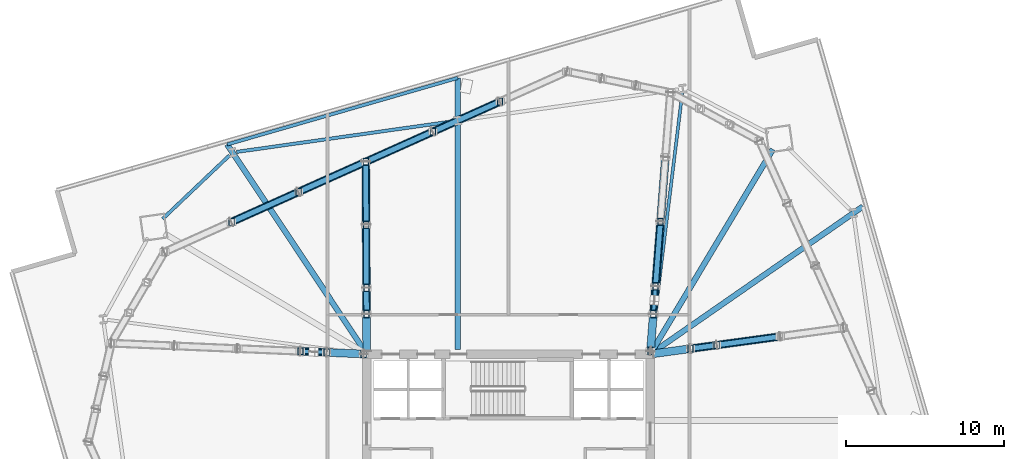
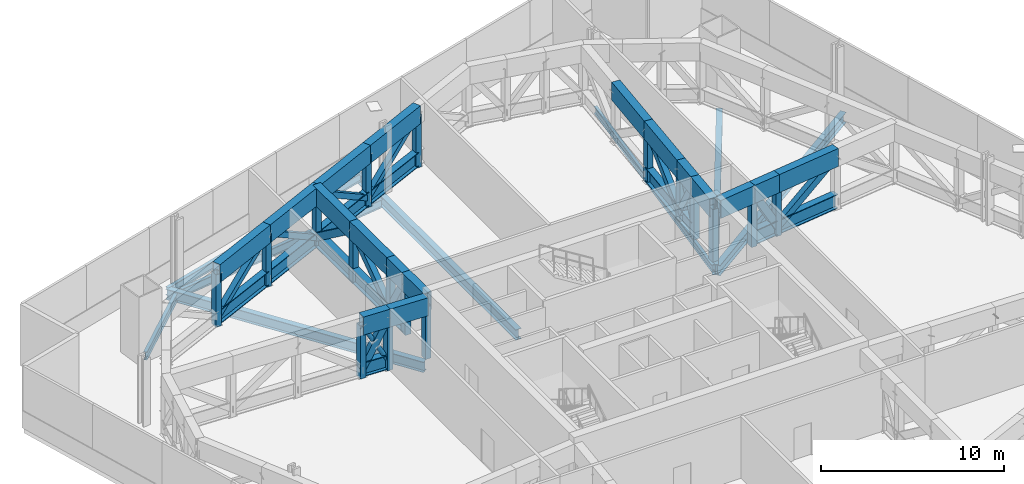
# One storey, part 5 of 19: 62 members, 8 beams.
"""IFC4 building model written with IfcOpenShell, lengths in metres."""

from ifc_helpers import new_model, si_unit, direction, frame, origin, origin_2d, place, context, subcontext, project, spatial, hollow_rectangle, hollow_circle, i_section, extrude, material, material_profile, profile_set, type_object, element, save


model = new_model("IFC4")

# Units and contexts
model_context = context("Model", 3, precision=1e-05, world=origin(), true_north=direction((0.0, 1.0)))
body_context = subcontext(model_context, "Body", "Model", "MODEL_VIEW")
ifc_project = project(units=[si_unit("LENGTHUNIT", "METRE"), si_unit("AREAUNIT", "SQUARE_METRE"), si_unit("VOLUMEUNIT", "CUBIC_METRE"), si_unit("PLANEANGLEUNIT", "RADIAN"), si_unit("MASSUNIT", "GRAM", prefix="KILO")], contexts=[model_context])

# Site, building, storey
site_placement = place(None, origin())
site = spatial("IfcSite", under=ifc_project, at=site_placement, CompositionType="ELEMENT")
building_placement = place(site_placement, origin())
building = spatial("IfcBuilding", under=site, at=building_placement, Name="Haldenkirk Collegiate Tower", CompositionType="ELEMENT")
storey_placement = place(building_placement, frame((0.0, 0.0, 81.449951171875)))
storey = spatial("IfcBuildingStorey", under=building, at=storey_placement, Name="L19", CompositionType="ELEMENT", Elevation=81.449951171875)

# Beams
ifc_material_1 = material(Name="Steel ASTM A992 Grade 50", Category="steel")
ifc_material_profile_1 = material_profile(ifc_material_1, i_section(OverallWidth=0.35498046875, OverallDepth=0.696044921875, WebThickness=0.015380859375, FlangeThickness=0.02490234375, at=origin_2d()), Name="W27X146")
ifc_profile_set_1 = profile_set([ifc_material_profile_1], Name="Steel ASTM A992 Grade 50")
beam_type_1 = type_object("IfcBeamType", Name="BM-GIRDER-W27X146", PredefinedType="BEAM", material=ifc_profile_set_1)
beam_1_placement = place(storey_placement, frame((52.783935546875, 47.000732421875, -0.758056640625), z_axis=(-0.513696499257, -0.857971973115, 0.0), x_axis=(0.857971973115, -0.513696499257, 0.0)))
element("IfcBeam", 1, at=beam_1_placement, inside=storey, type_object=beam_type_1, Name="L19 primary floor girder 03", PredefinedType="BEAM", context=body_context, shape_type="SweptSolid", body=[
    extrude(i_section(OverallWidth=0.35498046875, OverallDepth=0.696044921875, WebThickness=0.015380859375, FlangeThickness=0.02490234375, at=origin_2d()), origin(), (0.0, 0.0, 1.0), 14.872802734375),
])
beam_2_placement = place(storey_placement, frame((58.49609375, 43.36767578125, -0.758056640625), z_axis=(-0.821502553944, -0.570204835006, 0.0), x_axis=(0.570204835006, -0.821502553944, 0.0)))
element("IfcBeam", 2, at=beam_2_placement, inside=storey, type_object=beam_type_1, Name="L19 primary floor girder 10", PredefinedType="BEAM", context=body_context, shape_type="SweptSolid", body=[
    extrude(i_section(OverallWidth=0.35498046875, OverallDepth=0.696044921875, WebThickness=0.015380859375, FlangeThickness=0.02490234375, at=origin_2d()), origin(), (0.0, 0.0, 1.0), 16.148681640625),
])
beam_3_placement = place(storey_placement, frame((32.772216796875, 51.536376953125, -0.758056640625), z_axis=(0.0, -1.0, 0.0), x_axis=(1.0, 0.0, 0.0)))
element("IfcBeam", 3, at=beam_3_placement, inside=storey, type_object=beam_type_1, Name="L19 primary floor girder 12", PredefinedType="BEAM", context=body_context, shape_type="SweptSolid", body=[
    extrude(i_section(OverallWidth=0.35498046875, OverallDepth=0.696044921875, WebThickness=0.015380859375, FlangeThickness=0.02490234375, at=origin_2d()), origin(), (0.0, 0.0, 1.0), 17.25634765625),
])
beam_4_placement = place(storey_placement, frame((18.13818359375, 47.3125, -0.758056640625), z_axis=(0.554126343043, -0.832432577417, 0.0), x_axis=(0.832432577417, 0.554126343043, 0.0)))
element("IfcBeam", 4, at=beam_4_placement, inside=storey, type_object=beam_type_1, Name="L19 primary floor girder 13", PredefinedType="BEAM", context=body_context, shape_type="SweptSolid", body=[
    extrude(i_section(OverallWidth=0.35498046875, OverallDepth=0.696044921875, WebThickness=0.015380859375, FlangeThickness=0.02490234375, at=origin_2d()), origin(), (0.0, 0.0, 1.0), 15.712158203125),
])
ifc_material_profile_2 = material_profile(ifc_material_1, i_section(OverallWidth=0.19189453125, OverallDepth=0.462890625, WebThickness=0.010498046875, FlangeThickness=0.017578125, at=origin_2d()), Name="W18X60")
ifc_profile_set_2 = profile_set([ifc_material_profile_2], Name="Steel ASTM A992 Grade 50")
beam_type_2 = type_object("IfcBeamType", Name="BM-JOIST-W18X60", PredefinedType="JOIST", material=ifc_profile_set_2)
beam_5_placement = place(storey_placement, frame((47.03369140625, 50.581787109375, -0.641357421875), z_axis=(-0.121727667568, -0.992563536983, 0.0), x_axis=(0.992563536983, -0.121727667568, 0.0)))
element("IfcBeam", 5, at=beam_5_placement, inside=storey, type_object=beam_type_2, Name="L19 composite floor joist 11", PredefinedType="JOIST", context=body_context, shape_type="SweptSolid", body=[
    extrude(i_section(OverallWidth=0.19189453125, OverallDepth=0.462890625, WebThickness=0.010498046875, FlangeThickness=0.017578125, at=origin_2d()), origin(), (0.0, 0.0, 1.0), 16.426025390625),
])
ifc_material_profile_3 = material_profile(ifc_material_1, i_section(OverallWidth=0.2119140625, OverallDepth=0.5439453125, WebThickness=0.01318359375, FlangeThickness=0.021240234375, at=origin_2d()), Name="W21X83")
ifc_profile_set_3 = profile_set([ifc_material_profile_3], Name="Steel ASTM A992 Grade 50")
beam_type_3 = type_object("IfcBeamType", Name="BM-SPANDREL-W21X83", PredefinedType="SPANDREL", material=ifc_profile_set_3)
beam_6_placement = place(storey_placement, frame((32.51025390625, 48.785888671875, -0.681884765625), z_axis=(-0.990146197746, -0.14003752029, 0.0), x_axis=(0.14003752029, -0.990146197746, 0.0)))
element("IfcBeam", 6, at=beam_6_placement, inside=storey, type_object=beam_type_3, Name="L19 perimeter spandrel beam 11", PredefinedType="SPANDREL", context=body_context, shape_type="SweptSolid", body=[
    extrude(i_section(OverallWidth=0.2119140625, OverallDepth=0.5439453125, WebThickness=0.01318359375, FlangeThickness=0.021240234375, at=origin_2d()), origin(), (0.0, 0.0, 1.0), 13.906982421875),
])
beam_7_placement = place(storey_placement, frame((18.28662109375, 46.619140625, -0.681884765625), z_axis=(-0.725132817178, -0.688609030911, 0.0), x_axis=(0.688609030911, -0.725132817178, 0.0)))
element("IfcBeam", 7, at=beam_7_placement, inside=storey, type_object=beam_type_3, Name="L19 perimeter spandrel beam 12", PredefinedType="SPANDREL", context=body_context, shape_type="SweptSolid", body=[
    extrude(i_section(OverallWidth=0.2119140625, OverallDepth=0.5439453125, WebThickness=0.01318359375, FlangeThickness=0.021240234375, at=origin_2d()), origin(), (0.0, 0.0, 1.0), 5.848876953125),
])
beam_8_placement = place(storey_placement, frame((32.772216796875, 51.536376953125, -0.681884765625), z_axis=(-0.960779498589, -0.277313459987, 0.0), x_axis=(0.277313459987, -0.960779498589, 0.0)))
element("IfcBeam", 8, at=beam_8_placement, inside=storey, type_object=beam_type_3, Name="L19 outer facade edge beam 3", PredefinedType="SPANDREL", context=body_context, shape_type="SweptSolid", body=[
    extrude(i_section(OverallWidth=0.2119140625, OverallDepth=0.5439453125, WebThickness=0.01318359375, FlangeThickness=0.021240234375, at=origin_2d()), origin(), (0.0, 0.0, 1.0), 15.2314453125),
])

# Members
ifc_material_2 = material(Name="Steel ASTM A572 Grade 50", Category="steel")
ifc_material_profile_4 = material_profile(ifc_material_2, hollow_rectangle(XDim=0.5, YDim=1.199951171875, WallThickness=0.050048828125, at=origin_2d()), Name="BOX1200X500X50")
ifc_profile_set_4 = profile_set([ifc_material_profile_4], Name="Steel ASTM A572 Grade 50")
member_type_1 = type_object("IfcMemberType", Name="MBR-CHORD-BOX1200", PredefinedType="CHORD", material=ifc_profile_set_4)
member_1_placement = place(storey_placement, frame((45.015380859375, 34.199462890625, 3.489990234375), z_axis=(0.076941984802, 0.997035571569, 0.0), x_axis=(-0.997035571569, 0.076941984802, 0.0)))
element("IfcMember", 9, at=member_1_placement, inside=storey, type_object=member_type_1, Name="Outrigger Truss L19 Radial 03 top chord 1", PredefinedType="CHORD", context=body_context, shape_type="SweptSolid", body=[
    extrude(hollow_rectangle(XDim=0.5, YDim=1.199951171875, WallThickness=0.050048828125, at=origin_2d()), origin(), (0.0, 0.0, 1.0), 2.357666015625),
])
member_2_placement = place(storey_placement, frame((45.19677734375, 36.550048828125, 3.489990234375), z_axis=(0.076834622297, 0.997043851, 0.0), x_axis=(-0.997043851, 0.076834622297, 0.0)))
element("IfcMember", 10, at=member_2_placement, inside=storey, type_object=member_type_1, Name="Outrigger Truss L19 Radial 03 top chord 2", PredefinedType="CHORD", context=body_context, shape_type="SweptSolid", body=[
    extrude(hollow_rectangle(XDim=0.5, YDim=1.199951171875, WallThickness=0.050048828125, at=origin_2d()), origin(), (0.0, 0.0, 1.0), 1.757080078125),
])
for number, where, z_axis, x_axis, name in (
    (11, (45.331787109375, 38.302001953125, 3.489990234375), (0.076891588184, 0.997039459433, 0.0), (-0.997039459433, 0.076891588184, 0.0), "Outrigger Truss L19 Radial 03 top chord 3"),
    (12, (45.648193359375, 42.40478515625, 3.489990234375), (0.076891588184, 0.997039459433, 0.0), (-0.997039459433, 0.076891588184, 0.0), "Outrigger Truss L19 Radial 03 top chord 4"),
):
    element("IfcMember", number, at=place(storey_placement, frame(where, z_axis=z_axis, x_axis=x_axis)), inside=storey, type_object=member_type_1, Name=name, PredefinedType="CHORD", context=body_context, shape_type="SweptSolid", body=[
        extrude(hollow_rectangle(XDim=0.5, YDim=1.199951171875, WallThickness=0.050048828125, at=origin_2d()), origin(), (0.0, 0.0, 1.0), 4.114990234375),
    ])
member_3_placement = place(storey_placement, frame((26.80029296875, 34.008544921875, 3.489990234375), z_axis=(-0.999081055666, 0.042860753712, 0.0), x_axis=(-0.042860753712, -0.999081055666, 0.0)))
element("IfcMember", 13, at=member_3_placement, inside=storey, type_object=member_type_1, Name="Outrigger Truss L19 Radial 04 top chord 1", PredefinedType="CHORD", context=body_context, shape_type="SweptSolid", body=[
    extrude(hollow_rectangle(XDim=0.5, YDim=1.199951171875, WallThickness=0.050048828125, at=origin_2d()), origin(), (0.0, 0.0, 1.0), 2.3525390625),
])
member_4_placement = place(storey_placement, frame((24.449951171875, 34.109375, 3.489990234375), z_axis=(-0.999078020755, 0.042931438872, 0.0), x_axis=(-0.042931438872, -0.999078020755, 0.0)))
element("IfcMember", 14, at=member_4_placement, inside=storey, type_object=member_type_1, Name="Outrigger Truss L19 Radial 04 top chord 2", PredefinedType="CHORD", context=body_context, shape_type="SweptSolid", body=[
    extrude(hollow_rectangle(XDim=0.5, YDim=1.199951171875, WallThickness=0.050048828125, at=origin_2d()), origin(), (0.0, 0.0, 1.0), 1.65478515625),
])
member_5_placement = place(storey_placement, frame((45.1982421875, 34.027099609375, 3.489990234375), z_axis=(0.990879551053, 0.134750566997, 0.0), x_axis=(-0.134750566997, 0.990879551053, 0.0)))
element("IfcMember", 15, at=member_5_placement, inside=storey, type_object=member_type_1, Name="Outrigger Truss L19 Radial 06 top chord 1", PredefinedType="CHORD", context=body_context, shape_type="SweptSolid", body=[
    extrude(hollow_rectangle(XDim=0.5, YDim=1.199951171875, WallThickness=0.050048828125, at=origin_2d()), origin(), (0.0, 0.0, 1.0), 2.37353515625),
])
member_6_placement = place(storey_placement, frame((47.550048828125, 34.346923828125, 3.489990234375), z_axis=(0.990873381725, 0.13479592497, 0.0), x_axis=(-0.13479592497, 0.990873381725, 0.0)))
element("IfcMember", 16, at=member_6_placement, inside=storey, type_object=member_type_1, Name="Outrigger Truss L19 Radial 06 top chord 2", PredefinedType="CHORD", context=body_context, shape_type="SweptSolid", body=[
    extrude(hollow_rectangle(XDim=0.5, YDim=1.199951171875, WallThickness=0.050048828125, at=origin_2d()), origin(), (0.0, 0.0, 1.0), 1.6826171875),
])
member_7_placement = place(storey_placement, frame((49.21728515625, 34.57373046875, 3.489990234375), z_axis=(0.990867858049, 0.134836522813, 0.0), x_axis=(-0.134836522813, 0.990867858049, 0.0)))
element("IfcMember", 17, at=member_7_placement, inside=storey, type_object=member_type_1, Name="Outrigger Truss L19 Radial 06 top chord 3", PredefinedType="CHORD", context=body_context, shape_type="SweptSolid", body=[
    extrude(hollow_rectangle(XDim=0.5, YDim=1.199951171875, WallThickness=0.050048828125, at=origin_2d()), origin(), (0.0, 0.0, 1.0), 4.055908203125),
])
member_8_placement = place(storey_placement, frame((26.9990234375, 34.199951171875, 3.489990234375), z_axis=(-0.005090314271, 0.999987044266, 0.0), x_axis=(-0.999987044266, -0.005090314271, 0.0)))
element("IfcMember", 18, at=member_8_placement, inside=storey, type_object=member_type_1, Name="Outrigger Truss L19 Radial 07 top chord 1", PredefinedType="CHORD", context=body_context, shape_type="SweptSolid", body=[
    extrude(hollow_rectangle(XDim=0.5, YDim=1.199951171875, WallThickness=0.050048828125, at=origin_2d()), origin(), (0.0, 0.0, 1.0), 2.35009765625),
])
member_9_placement = place(storey_placement, frame((26.987060546875, 36.550048828125, 3.489990234375), z_axis=(-0.005166745325, 0.999986652282, 0.0), x_axis=(-0.999986652282, -0.005166745325, 0.0)))
element("IfcMember", 19, at=member_9_placement, inside=storey, type_object=member_type_1, Name="Outrigger Truss L19 Radial 07 top chord 2", PredefinedType="CHORD", context=body_context, shape_type="SweptSolid", body=[
    extrude(hollow_rectangle(XDim=0.5, YDim=1.199951171875, WallThickness=0.050048828125, at=origin_2d()), origin(), (0.0, 0.0, 1.0), 1.65380859375),
])
member_10_placement = place(storey_placement, frame((26.978515625, 38.203857421875, 3.489990234375), z_axis=(-0.005061219399, 0.999987191947, 0.0), x_axis=(-0.999987191947, -0.005061219399, 0.0)))
element("IfcMember", 20, at=member_10_placement, inside=storey, type_object=member_type_1, Name="Outrigger Truss L19 Radial 07 top chord 3", PredefinedType="CHORD", context=body_context, shape_type="SweptSolid", body=[
    extrude(hollow_rectangle(XDim=0.5, YDim=1.199951171875, WallThickness=0.050048828125, at=origin_2d()), origin(), (0.0, 0.0, 1.0), 4.003662109375),
])
member_11_placement = place(storey_placement, frame((26.958251953125, 42.20751953125, 3.489990234375), z_axis=(-0.005121884035, 0.999986883066, 0.0), x_axis=(-0.999986883066, -0.005121884035, 0.0)))
element("IfcMember", 21, at=member_11_placement, inside=storey, type_object=member_type_1, Name="Outrigger Truss L19 Radial 07 top chord 4", PredefinedType="CHORD", context=body_context, shape_type="SweptSolid", body=[
    extrude(hollow_rectangle(XDim=0.5, YDim=1.199951171875, WallThickness=0.050048828125, at=origin_2d()), origin(), (0.0, 0.0, 1.0), 4.00390625),
])
member_12_placement = place(storey_placement, frame((35.456787109375, 50.031005859375, 3.489990234375), z_axis=(-0.912471623482, -0.409139996016, 0.0), x_axis=(0.409139996016, -0.912471623482, 0.0)))
element("IfcMember", 22, at=member_12_placement, inside=storey, type_object=member_type_1, Name="Belt Truss L19-10 top chord 2", PredefinedType="CHORD", context=body_context, shape_type="SweptSolid", body=[
    extrude(hollow_rectangle(XDim=0.5, YDim=1.199951171875, WallThickness=0.050048828125, at=origin_2d()), origin(), (0.0, 0.0, 1.0), 4.668212890625),
])
for number, where, z_axis, x_axis, name in (
    (23, (31.197265625, 48.12109375, 3.489990234375), (-0.91249114781, -0.409096449714, 0.0), (0.409096449714, -0.91249114781, 0.0), "Belt Truss L19-10 top chord 3"),
    (24, (26.937744140625, 46.21142578125, 3.489990234375), (-0.912462868131, -0.409159521804, 0.0), (0.409159521804, -0.912462868131, 0.0), "Belt Truss L19-11 top chord 1"),
    (25, (22.678466796875, 44.301513671875, 3.489990234375), (-0.91249114781, -0.409096449714, 0.0), (0.409096449714, -0.91249114781, 0.0), "Belt Truss L19-11 top chord 2"),
):
    element("IfcMember", number, at=place(storey_placement, frame(where, z_axis=z_axis, x_axis=x_axis)), inside=storey, type_object=member_type_1, Name=name, PredefinedType="CHORD", context=body_context, shape_type="SweptSolid", body=[
        extrude(hollow_rectangle(XDim=0.5, YDim=1.199951171875, WallThickness=0.050048828125, at=origin_2d()), origin(), (0.0, 0.0, 1.0), 4.66796875),
    ])
ifc_material_3 = material(Name="Steel ASTM A913 Grade 65", Category="steel")
ifc_material_profile_5 = material_profile(ifc_material_3, i_section(OverallWidth=0.423095703125, OverallDepth=0.947998046875, WebThickness=0.02392578125, FlangeThickness=0.042724609375, at=origin_2d()), Name="W36X302")
ifc_profile_set_5 = profile_set([ifc_material_profile_5], Name="Steel ASTM A913 Grade 65")
member_type_2 = type_object("IfcMemberType", Name="MBR-CHORD-W36X302", PredefinedType="CHORD", material=ifc_profile_set_5)
member_13_placement = place(storey_placement, frame((45.19677734375, 36.550048828125, 0.550048828125), z_axis=(0.076834622297, 0.997043851, 0.0), x_axis=(-0.997043851, 0.076834622297, 0.0)))
element("IfcMember", 26, at=member_13_placement, inside=storey, type_object=member_type_2, Name="Outrigger Truss L19 Radial 03 bottom chord 2", PredefinedType="CHORD", context=body_context, shape_type="SweptSolid", body=[
    extrude(i_section(OverallWidth=0.423095703125, OverallDepth=0.947998046875, WebThickness=0.02392578125, FlangeThickness=0.042724609375, at=origin_2d()), origin(), (0.0, 0.0, 1.0), 1.757080078125),
])
member_14_placement = place(storey_placement, frame((45.331787109375, 38.302001953125, 0.550048828125), z_axis=(0.076891588184, 0.997039459433, 0.0), x_axis=(-0.997039459433, 0.076891588184, 0.0)))
element("IfcMember", 27, at=member_14_placement, inside=storey, type_object=member_type_2, Name="Outrigger Truss L19 Radial 03 bottom chord 3", PredefinedType="CHORD", context=body_context, shape_type="SweptSolid", body=[
    extrude(i_section(OverallWidth=0.423095703125, OverallDepth=0.947998046875, WebThickness=0.02392578125, FlangeThickness=0.042724609375, at=origin_2d()), origin(), (0.0, 0.0, 1.0), 4.114990234375),
])
member_15_placement = place(storey_placement, frame((24.449951171875, 34.109375, 0.550048828125), z_axis=(-0.999078020755, 0.042931438872, 0.0), x_axis=(-0.042931438872, -0.999078020755, 0.0)))
element("IfcMember", 28, at=member_15_placement, inside=storey, type_object=member_type_2, Name="Outrigger Truss L19 Radial 04 bottom chord 2", PredefinedType="CHORD", context=body_context, shape_type="SweptSolid", body=[
    extrude(i_section(OverallWidth=0.423095703125, OverallDepth=0.947998046875, WebThickness=0.02392578125, FlangeThickness=0.042724609375, at=origin_2d()), origin(), (0.0, 0.0, 1.0), 1.65478515625),
])
member_16_placement = place(storey_placement, frame((47.550048828125, 34.346923828125, 0.550048828125), z_axis=(0.990873381725, 0.13479592497, 0.0), x_axis=(-0.13479592497, 0.990873381725, 0.0)))
element("IfcMember", 29, at=member_16_placement, inside=storey, type_object=member_type_2, Name="Outrigger Truss L19 Radial 06 bottom chord 2", PredefinedType="CHORD", context=body_context, shape_type="SweptSolid", body=[
    extrude(i_section(OverallWidth=0.423095703125, OverallDepth=0.947998046875, WebThickness=0.02392578125, FlangeThickness=0.042724609375, at=origin_2d()), origin(), (0.0, 0.0, 1.0), 1.6826171875),
])
member_17_placement = place(storey_placement, frame((49.21728515625, 34.57373046875, 0.550048828125), z_axis=(0.990867858049, 0.134836522813, 0.0), x_axis=(-0.134836522813, 0.990867858049, 0.0)))
element("IfcMember", 30, at=member_17_placement, inside=storey, type_object=member_type_2, Name="Outrigger Truss L19 Radial 06 bottom chord 3", PredefinedType="CHORD", context=body_context, shape_type="SweptSolid", body=[
    extrude(i_section(OverallWidth=0.423095703125, OverallDepth=0.947998046875, WebThickness=0.02392578125, FlangeThickness=0.042724609375, at=origin_2d()), origin(), (0.0, 0.0, 1.0), 4.055908203125),
])
member_18_placement = place(storey_placement, frame((26.987060546875, 36.550048828125, 0.550048828125), z_axis=(-0.005166745325, 0.999986652282, 0.0), x_axis=(-0.999986652282, -0.005166745325, 0.0)))
element("IfcMember", 31, at=member_18_placement, inside=storey, type_object=member_type_2, Name="Outrigger Truss L19 Radial 07 bottom chord 2", PredefinedType="CHORD", context=body_context, shape_type="SweptSolid", body=[
    extrude(i_section(OverallWidth=0.423095703125, OverallDepth=0.947998046875, WebThickness=0.02392578125, FlangeThickness=0.042724609375, at=origin_2d()), origin(), (0.0, 0.0, 1.0), 1.65380859375),
])
member_19_placement = place(storey_placement, frame((26.978515625, 38.203857421875, 0.550048828125), z_axis=(-0.005061219399, 0.999987191947, 0.0), x_axis=(-0.999987191947, -0.005061219399, 0.0)))
element("IfcMember", 32, at=member_19_placement, inside=storey, type_object=member_type_2, Name="Outrigger Truss L19 Radial 07 bottom chord 3", PredefinedType="CHORD", context=body_context, shape_type="SweptSolid", body=[
    extrude(i_section(OverallWidth=0.423095703125, OverallDepth=0.947998046875, WebThickness=0.02392578125, FlangeThickness=0.042724609375, at=origin_2d()), origin(), (0.0, 0.0, 1.0), 4.003662109375),
])
member_20_placement = place(storey_placement, frame((26.958251953125, 42.20751953125, 0.550048828125), z_axis=(-0.005121884035, 0.999986883066, 0.0), x_axis=(-0.999986883066, -0.005121884035, 0.0)))
element("IfcMember", 33, at=member_20_placement, inside=storey, type_object=member_type_2, Name="Outrigger Truss L19 Radial 07 bottom chord 4", PredefinedType="CHORD", context=body_context, shape_type="SweptSolid", body=[
    extrude(i_section(OverallWidth=0.423095703125, OverallDepth=0.947998046875, WebThickness=0.02392578125, FlangeThickness=0.042724609375, at=origin_2d()), origin(), (0.0, 0.0, 1.0), 4.00390625),
])
member_21_placement = place(storey_placement, frame((35.456787109375, 50.031005859375, 0.550048828125), z_axis=(-0.912471623482, -0.409139996016, 0.0), x_axis=(0.409139996016, -0.912471623482, 0.0)))
element("IfcMember", 34, at=member_21_placement, inside=storey, type_object=member_type_2, Name="Belt Truss L19-10 bottom chord 2", PredefinedType="CHORD", context=body_context, shape_type="SweptSolid", body=[
    extrude(i_section(OverallWidth=0.423095703125, OverallDepth=0.947998046875, WebThickness=0.02392578125, FlangeThickness=0.042724609375, at=origin_2d()), origin(), (0.0, 0.0, 1.0), 4.668212890625),
])
for number, where, z_axis, x_axis, name in (
    (35, (31.197265625, 48.12109375, 0.550048828125), (-0.91249114781, -0.409096449714, 0.0), (0.409096449714, -0.91249114781, 0.0), "Belt Truss L19-10 bottom chord 3"),
    (36, (26.937744140625, 46.21142578125, 0.550048828125), (-0.912462868131, -0.409159521804, 0.0), (0.409159521804, -0.912462868131, 0.0), "Belt Truss L19-11 bottom chord 1"),
    (37, (22.678466796875, 44.301513671875, 0.550048828125), (-0.91249114781, -0.409096449714, 0.0), (0.409096449714, -0.91249114781, 0.0), "Belt Truss L19-11 bottom chord 2"),
):
    element("IfcMember", number, at=place(storey_placement, frame(where, z_axis=z_axis, x_axis=x_axis)), inside=storey, type_object=member_type_2, Name=name, PredefinedType="CHORD", context=body_context, shape_type="SweptSolid", body=[
        extrude(i_section(OverallWidth=0.423095703125, OverallDepth=0.947998046875, WebThickness=0.02392578125, FlangeThickness=0.042724609375, at=origin_2d()), origin(), (0.0, 0.0, 1.0), 4.66796875),
    ])
ifc_material_profile_6 = material_profile(ifc_material_2, hollow_circle(Radius=0.136474609375, WallThickness=0.011962890625, at=origin_2d()), Name="CHS273X12")
ifc_profile_set_6 = profile_set([ifc_material_profile_6], Name="Steel ASTM A572 Grade 50")
member_type_3 = type_object("IfcMemberType", Name="MBR-STRUT-CHS273", PredefinedType="STRUT", material=ifc_profile_set_6)
for number, where, z_axis, x_axis, name in (
    (38, (45.19677734375, 36.550048828125, 0.550048828125), (0.039461562201, 0.511508064659, 0.858371880305), (-0.997037350697, 0.076918926893, 0.0), "Outrigger Truss L19 Radial 03 split X-brace diagonal 2A"),
    (39, (45.273681640625, 37.548828125, 2.22607421875), (0.039461562201, 0.511508064659, 0.858371880305), (-0.997037350697, 0.076918926893, 0.0), "Outrigger Truss L19 Radial 03 split X-brace diagonal 2B"),
):
    element("IfcMember", number, at=place(storey_placement, frame(where, z_axis=z_axis, x_axis=x_axis)), inside=storey, type_object=member_type_3, Name=name, PredefinedType="STRUT", context=body_context, shape_type="SweptSolid", body=[
        extrude(hollow_circle(Radius=0.136474609375, WallThickness=0.011962890625, at=origin_2d()), origin(), (0.0, 0.0, 1.0), 1.472412109375),
    ])
member_22_placement = place(storey_placement, frame((24.449951171875, 34.109375, 0.550048828125), z_axis=(-0.489983951227, 0.021090906992, 0.87147627689), x_axis=(-0.043004256588, -0.999074889043, 0.0)))
element("IfcMember", 40, at=member_22_placement, inside=storey, type_object=member_type_3, Name="Outrigger Truss L19 Radial 04 split X-brace diagonal 2A", PredefinedType="STRUT", context=body_context, shape_type="SweptSolid", body=[
    extrude(hollow_circle(Radius=0.136474609375, WallThickness=0.011962890625, at=origin_2d()), origin(), (0.0, 0.0, 1.0), 1.447021484375),
])
member_23_placement = place(storey_placement, frame((23.505615234375, 34.14990234375, 2.229248046875), z_axis=(-0.490056008267, 0.02109400862, 0.871435684122), x_axis=(-0.043004256588, -0.999074889043, 0.0)))
element("IfcMember", 41, at=member_23_placement, inside=storey, type_object=member_type_3, Name="Outrigger Truss L19 Radial 04 split X-brace diagonal 2B", PredefinedType="STRUT", context=body_context, shape_type="SweptSolid", body=[
    extrude(hollow_circle(Radius=0.136474609375, WallThickness=0.011962890625, at=origin_2d()), origin(), (0.0, 0.0, 1.0), 1.44677734375),
])
ifc_material_profile_7 = material_profile(ifc_material_2, hollow_rectangle(XDim=0.35009765625, YDim=0.35009765625, WallThickness=0.01611328125, at=origin_2d()), Name="HSS350X350X16")
ifc_profile_set_7 = profile_set([ifc_material_profile_7], Name="Steel ASTM A572 Grade 50")
member_type_4 = type_object("IfcMemberType", Name="MBR-TRUSSDIAG-HSS350X350X16", PredefinedType="BRACE", material=ifc_profile_set_7)
member_24_placement = place(storey_placement, frame((35.456787109375, 50.031005859375, 3.489990234375), z_axis=(-0.772106876887, -0.346202332658, -0.532911733334), x_axis=(0.409139996016, -0.912471623482, 0.0)))
element("IfcMember", 42, at=member_24_placement, inside=storey, type_object=member_type_4, Name="Belt Truss L19-10 web diagonal 2", PredefinedType="BRACE", context=body_context, shape_type="SweptSolid", body=[
    extrude(hollow_rectangle(XDim=0.35009765625, YDim=0.35009765625, WallThickness=0.01611328125, at=origin_2d()), origin(), (0.0, 0.0, 1.0), 5.516845703125),
])
for number, where, z_axis, x_axis, name in (
    (43, (31.197265625, 48.12109375, 0.550048828125), (-0.77211870584, -0.346163381503, 0.532919897732), (0.409096449714, -0.91249114781, 0.0), "Belt Truss L19-10 web diagonal 3"),
    (44, (26.937744140625, 46.21142578125, 0.550048828125), (-0.772089003781, -0.346214162362, 0.532929942882), (0.409159521804, -0.912462868131, 0.0), "Belt Truss L19-11 web diagonal 1"),
    (45, (22.678466796875, 44.301513671875, 3.489990234375), (-0.77211870584, -0.346163381503, -0.532919897732), (0.409096449714, -0.91249114781, 0.0), "Belt Truss L19-11 web diagonal 2"),
):
    element("IfcMember", number, at=place(storey_placement, frame(where, z_axis=z_axis, x_axis=x_axis)), inside=storey, type_object=member_type_4, Name=name, PredefinedType="BRACE", context=body_context, shape_type="SweptSolid", body=[
        extrude(hollow_rectangle(XDim=0.35009765625, YDim=0.35009765625, WallThickness=0.01611328125, at=origin_2d()), origin(), (0.0, 0.0, 1.0), 5.5166015625),
    ])
ifc_material_profile_8 = material_profile(ifc_material_2, hollow_rectangle(XDim=0.35009765625, YDim=0.449951171875, WallThickness=0.02197265625, at=origin_2d()), Name="HSS450X350X22")
ifc_profile_set_8 = profile_set([ifc_material_profile_8], Name="Steel ASTM A572 Grade 50")
member_type_5 = type_object("IfcMemberType", Name="MBR-TRUSSDIAG-HSS450X350X22", PredefinedType="BRACE", material=ifc_profile_set_8)
member_25_placement = place(storey_placement, frame((45.19677734375, 36.550048828125, 3.489990234375), z_axis=(0.039418577235, 0.511514846725, -0.858369813861), x_axis=(-0.997043851, 0.076834622297, 0.0)))
element("IfcMember", 46, at=member_25_placement, inside=storey, type_object=member_type_5, Name="Outrigger Truss L19 Radial 03 web diagonal 2", PredefinedType="BRACE", context=body_context, shape_type="SweptSolid", body=[
    extrude(hollow_rectangle(XDim=0.35009765625, YDim=0.449951171875, WallThickness=0.02197265625, at=origin_2d()), origin(), (0.0, 0.0, 1.0), 3.425048828125),
])
member_26_placement = place(storey_placement, frame((45.331787109375, 38.302001953125, 0.550048828125), z_axis=(0.062564367369, 0.811260951886, 0.581327246808), x_axis=(-0.997039459433, 0.076891588184, 0.0)))
element("IfcMember", 47, at=member_26_placement, inside=storey, type_object=member_type_5, Name="Outrigger Truss L19 Radial 03 web diagonal 3", PredefinedType="BRACE", context=body_context, shape_type="SweptSolid", body=[
    extrude(hollow_rectangle(XDim=0.35009765625, YDim=0.449951171875, WallThickness=0.02197265625, at=origin_2d()), origin(), (0.0, 0.0, 1.0), 5.057373046875),
])
member_27_placement = place(storey_placement, frame((24.449951171875, 34.109375, 3.489990234375), z_axis=(-0.490063188677, 0.021058533359, -0.871432504143), x_axis=(-0.042931438872, -0.999078020755, 0.0)))
element("IfcMember", 48, at=member_27_placement, inside=storey, type_object=member_type_5, Name="Outrigger Truss L19 Radial 04 web diagonal 2", PredefinedType="BRACE", context=body_context, shape_type="SweptSolid", body=[
    extrude(hollow_rectangle(XDim=0.35009765625, YDim=0.449951171875, WallThickness=0.02197265625, at=origin_2d()), origin(), (0.0, 0.0, 1.0), 3.373779296875),
])
member_28_placement = place(storey_placement, frame((47.550048828125, 34.346923828125, 3.489990234375), z_axis=(0.492189868598, 0.066956272943, -0.867908976081), x_axis=(-0.13479592497, 0.990873381725, 0.0)))
element("IfcMember", 49, at=member_28_placement, inside=storey, type_object=member_type_5, Name="Outrigger Truss L19 Radial 06 web diagonal 2", PredefinedType="BRACE", context=body_context, shape_type="SweptSolid", body=[
    extrude(hollow_rectangle(XDim=0.35009765625, YDim=0.449951171875, WallThickness=0.02197265625, at=origin_2d()), origin(), (0.0, 0.0, 1.0), 3.387451171875),
])
member_29_placement = place(storey_placement, frame((49.21728515625, 34.57373046875, 0.550048828125), z_axis=(0.802267783477, 0.109171972237, 0.586896825748), x_axis=(-0.134836522813, 0.990867858049, 0.0)))
element("IfcMember", 50, at=member_29_placement, inside=storey, type_object=member_type_5, Name="Outrigger Truss L19 Radial 06 web diagonal 3", PredefinedType="BRACE", context=body_context, shape_type="SweptSolid", body=[
    extrude(hollow_rectangle(XDim=0.35009765625, YDim=0.449951171875, WallThickness=0.02197265625, at=origin_2d()), origin(), (0.0, 0.0, 1.0), 5.00927734375),
])
member_30_placement = place(storey_placement, frame((26.987060546875, 36.550048828125, 3.489990234375), z_axis=(-0.002533187178, 0.490280284197, -0.871561142944), x_axis=(-0.999986652282, -0.005166745325, 0.0)))
element("IfcMember", 51, at=member_30_placement, inside=storey, type_object=member_type_5, Name="Outrigger Truss L19 Radial 07 web diagonal 2", PredefinedType="BRACE", context=body_context, shape_type="SweptSolid", body=[
    extrude(hollow_rectangle(XDim=0.35009765625, YDim=0.449951171875, WallThickness=0.02197265625, at=origin_2d()), origin(), (0.0, 0.0, 1.0), 3.373291015625),
])
for number, where, z_axis, x_axis, name in (
    (52, (26.978515625, 38.203857421875, 0.550048828125), (-0.004079504091, 0.806021537173, 0.591872147731), (-0.999987191947, -0.005061219399, 0.0), "Outrigger Truss L19 Radial 07 web diagonal 3"),
    (53, (26.958251953125, 42.20751953125, 3.489990234375), (-0.004128490352, 0.806038592483, -0.591848581139), (-0.999986883066, -0.005121884035, 0.0), "Outrigger Truss L19 Radial 07 web diagonal 4"),
):
    element("IfcMember", number, at=place(storey_placement, frame(where, z_axis=z_axis, x_axis=x_axis)), inside=storey, type_object=member_type_5, Name=name, PredefinedType="BRACE", context=body_context, shape_type="SweptSolid", body=[
        extrude(hollow_rectangle(XDim=0.35009765625, YDim=0.449951171875, WallThickness=0.02197265625, at=origin_2d()), origin(), (0.0, 0.0, 1.0), 4.96728515625),
    ])
ifc_material_profile_9 = material_profile(ifc_material_2, hollow_rectangle(XDim=0.35009765625, YDim=0.449951171875, WallThickness=0.02197265625, at=origin_2d()), Name="HSS450X350X22")
ifc_profile_set_9 = profile_set([ifc_material_profile_9], Name="Steel ASTM A572 Grade 50")
member_type_6 = type_object("IfcMemberType", Name="MBR-TRUSSPOST-HSS450X350X22", PredefinedType="POST", material=ifc_profile_set_9)
for number, where, z_axis, x_axis, name in (
    (54, (45.015380859375, 34.199462890625, 0.0), (0.0, 0.0, 1.0), (1.0, 0.0, 0.0), "Outrigger Truss L19 Radial 03 vertical post 1"),
    (55, (45.19677734375, 36.550048828125, 0.0), (0.0, 0.0, 1.0), (1.0, 0.0, 0.0), "Outrigger Truss L19 Radial 03 vertical post 2"),
    (56, (45.331787109375, 38.302001953125, 0.0), (0.0, 0.0, 1.0), (1.0, 0.0, 0.0), "Outrigger Truss L19 Radial 03 vertical post 3"),
    (57, (45.648193359375, 42.40478515625, 0.0), (0.0, 0.0, 1.0), (1.0, 0.0, 0.0), "Outrigger Truss L19 Radial 03 vertical post 4"),
    (58, (26.80029296875, 34.008544921875, 0.0), (0.0, 0.0, 1.0), (1.0, 0.0, 0.0), "Outrigger Truss L19 Radial 04 vertical post 1"),
    (59, (24.449951171875, 34.109375, 0.0), (0.0, 0.0, 1.0), (1.0, 0.0, 0.0), "Outrigger Truss L19 Radial 04 vertical post 2"),
    (60, (22.796630859375, 34.180419921875, 0.0), (0.0, 0.0, 1.0), (1.0, 0.0, 0.0), "Outrigger Truss L19 Radial 04 vertical post 3"),
    (61, (47.550048828125, 34.346923828125, 0.0), (0.0, 0.0, 1.0), (1.0, 0.0, 0.0), "Outrigger Truss L19 Radial 06 vertical post 2"),
    (62, (49.21728515625, 34.57373046875, 0.0), (0.0, 0.0, 1.0), (1.0, 0.0, 0.0), "Outrigger Truss L19 Radial 06 vertical post 3"),
    (63, (26.987060546875, 36.550048828125, 0.0), (0.0, 0.0, 1.0), (1.0, 0.0, 0.0), "Outrigger Truss L19 Radial 07 vertical post 2"),
    (64, (26.978515625, 38.203857421875, 0.0), (0.0, 0.0, 1.0), (1.0, 0.0, 0.0), "Outrigger Truss L19 Radial 07 vertical post 3"),
    (65, (26.958251953125, 42.20751953125, 0.0), (0.0, 0.0, 1.0), (1.0, 0.0, 0.0), "Outrigger Truss L19 Radial 07 vertical post 4"),
    (66, (26.937744140625, 46.21142578125, 0.0), (0.0, 0.0, 1.0), (1.0, 0.0, 0.0), "Outrigger Truss L19 Radial 07 vertical post 5"),
    (67, (35.456787109375, 50.031005859375, 0.0), (0.0, 0.0, 1.0), (1.0, 0.0, 0.0), "Belt Truss L19-10 vertical post 2"),
    (68, (31.197265625, 48.12109375, 0.0), (0.0, 0.0, 1.0), (1.0, 0.0, 0.0), "Belt Truss L19-10 vertical post 3"),
    (69, (22.678466796875, 44.301513671875, 0.0), (0.0, 0.0, 1.0), (1.0, 0.0, 0.0), "Belt Truss L19-11 vertical post 2"),
    (70, (18.4189453125, 42.391845703125, 0.0), (0.0, 0.0, 1.0), (1.0, 0.0, 0.0), "Belt Truss L19-11 vertical post 3"),
):
    element("IfcMember", number, at=place(storey_placement, frame(where, z_axis=z_axis, x_axis=x_axis)), inside=storey, type_object=member_type_6, Name=name, PredefinedType="POST", context=body_context, shape_type="SweptSolid", body=[
        extrude(hollow_rectangle(XDim=0.35009765625, YDim=0.449951171875, WallThickness=0.02197265625, at=origin_2d()), origin(), (0.0, 0.0, 1.0), 3.489990234375),
    ])

save(model, "model.ifc")
